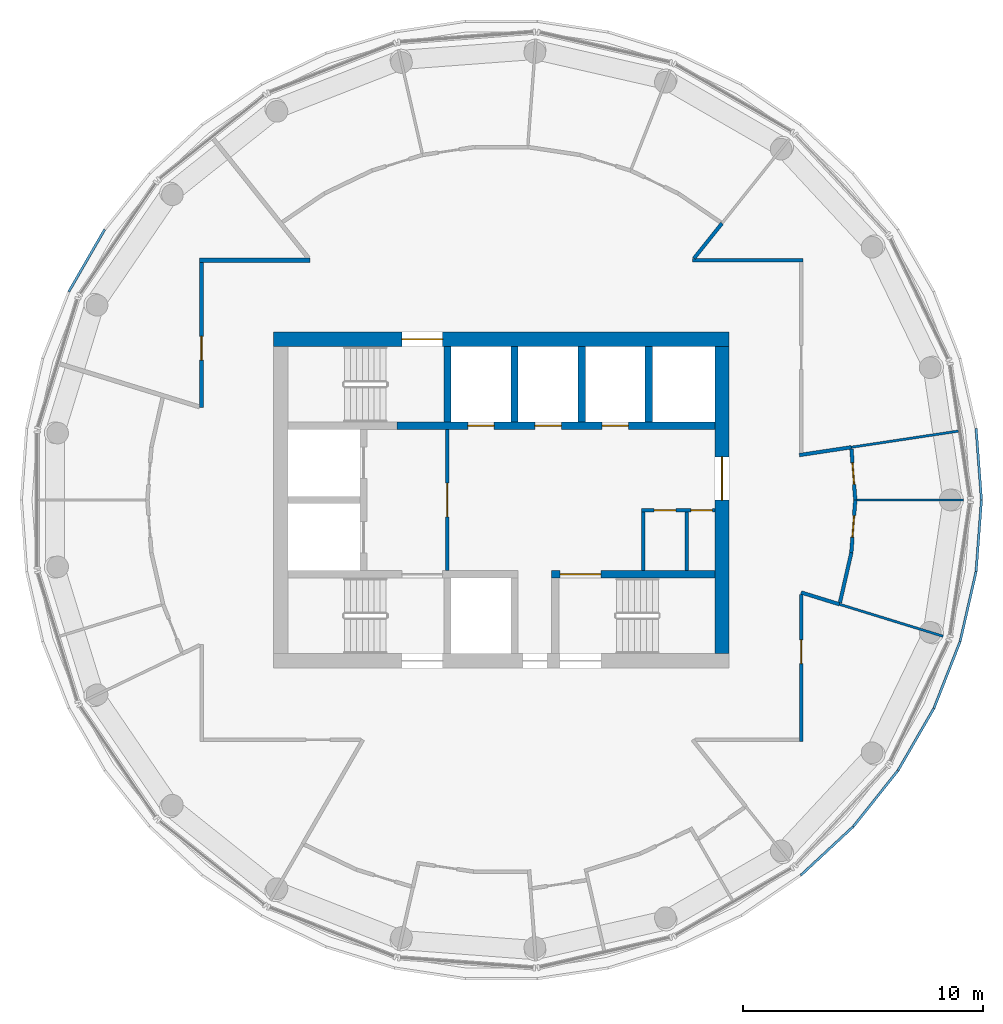
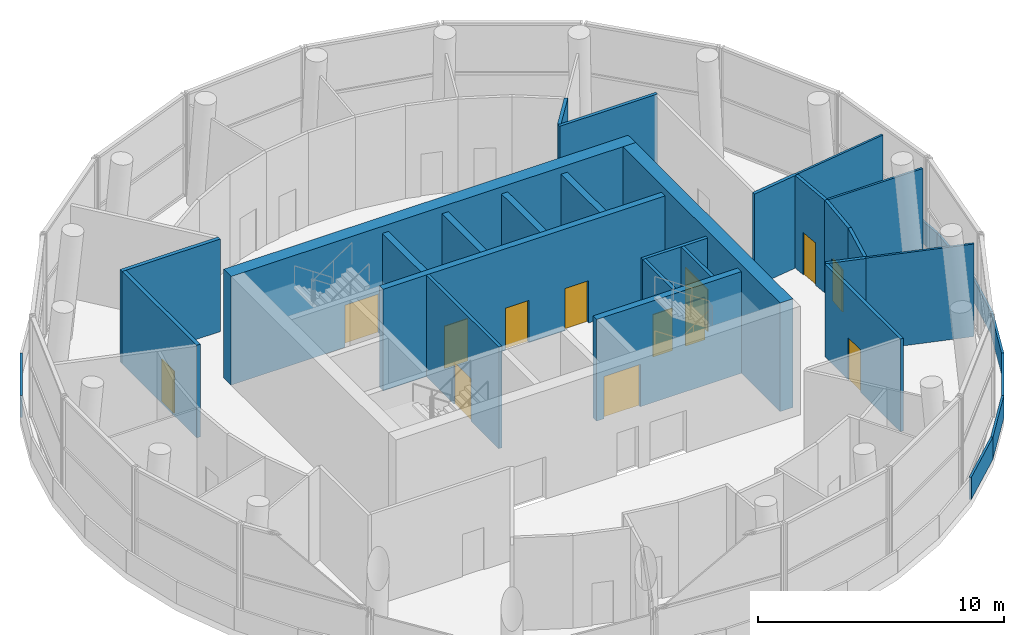
# One storey, part 6 of 11: 33 walls, 13 doors, 13 openings.
"""IFC4 building model written with IfcOpenShell, lengths in metres."""

from ifc_helpers import new_model, si_unit, direction, frame, frame_2d, origin, place, context, subcontext, project, spatial, rectangle, extrude, material, layer, layer_set, type_object, element, fill, save


model = new_model("IFC4")

# Units and contexts
model_context = context("Model", 3, precision=1e-05, world=origin(), true_north=direction((0.0, 1.0)))
body_context = subcontext(model_context, "Body", "Model", "MODEL_VIEW")
ifc_project = project(units=[si_unit("LENGTHUNIT", "METRE"), si_unit("AREAUNIT", "SQUARE_METRE"), si_unit("VOLUMEUNIT", "CUBIC_METRE"), si_unit("PLANEANGLEUNIT", "RADIAN"), si_unit("MASSUNIT", "GRAM", prefix="KILO")], contexts=[model_context])

# Site, building, storey
site_placement = place(None, origin())
site = spatial("IfcSite", under=ifc_project, at=site_placement, CompositionType="ELEMENT")
building_placement = place(site_placement, origin())
building = spatial("IfcBuilding", under=site, at=building_placement, Name="Tracery Tower", CompositionType="ELEMENT")
storey_placement = place(building_placement, frame((0.0, 0.0, 330.60009765625)))
storey = spatial("IfcBuildingStorey", under=building, at=storey_placement, Name="L86", CompositionType="ELEMENT", Elevation=330.60009765625)

# Wall, opening, door
ifc_material_1 = material(Name="Plasterboard on steel studs", Category="steel")
ifc_layer_1 = layer(ifc_material_1, 0.175048828125)
ifc_layer_set_1 = layer_set([ifc_layer_1], Name="Compartment partition 175")
wall_type_1 = type_object("IfcWallType", Name="Compartment partition 175", PredefinedType="PARTITIONING", material=ifc_layer_set_1)
wall_1_placement = place(storey_placement, frame((-12.5, 3.855712890625, 0.0), z_axis=(0.0, 0.0, 1.0), x_axis=(0.0, 1.0, 0.0)))
wall_1 = element("IfcWall", 1, at=wall_1_placement, inside=storey, type_object=wall_type_1, Name="Compartment partition 175", PredefinedType="PARTITIONING", context=body_context, shape_type="SweptSolid", body=[
    extrude(rectangle(XDim=6.056884765625, YDim=0.175048828125, at=frame_2d((3.0283203125, 0.0))), origin(), (0.0, 0.0, 1.0), 4.599853515625),
])
opening_1_placement = place(wall_1_placement, frame((1.97216796875, 0.0, 0.0)))
opening_1 = element("IfcOpeningElement", 2, at=opening_1_placement, cuts=wall_1, Name="Opening SB-L86-06", PredefinedType="OPENING", context=body_context, shape_type="SweptSolid", body=[
    extrude(rectangle(XDim=1.0, YDim=2.10009765625, at=frame_2d((0.5, 1.050048828125))), frame((0.0, 0.08740234375, 0.0), z_axis=(0.0, -1.0, 0.0), x_axis=(1.0, 0.0, 0.0)), (0.0, 0.0, 1.0), 0.175048828125),
])
ifc_material_2 = material(Name="Timber door leaf", Category="wood")
door_type_1 = type_object("IfcDoorType", Name="Public room door 1000", OperationType="NOTDEFINED", PredefinedType="DOOR", material=ifc_material_2)
door_1_placement = place(opening_1_placement, origin())
door_1 = element("IfcDoor", 3, at=door_1_placement, inside=storey, type_object=door_type_1, Name="Public room door 1000", OperationType="SINGLE_SWING_RIGHT", OverallHeight=2.10009765625, OverallWidth=1.0, PredefinedType="DOOR", context=body_context, shape_type="SweptSolid", body=[
    extrude(rectangle(XDim=1.0, YDim=2.10009765625, at=frame_2d((0.5, 1.050048828125))), frame((0.0, 0.02490234375, 0.0), z_axis=(0.0, -1.0, 0.0), x_axis=(1.0, 0.0, 0.0)), (0.0, 0.0, 1.0), 0.050048828125),
])
fill(opening_1, door_1)

# Wall
wall_2_placement = place(storey_placement, frame((-7.974609375, 10.0, 0.0), z_axis=(0.0, 0.0, 1.0), x_axis=(-1.0, 0.0, 0.0)))
element("IfcWall", 4, at=wall_2_placement, inside=storey, type_object=wall_type_1, Name="Compartment partition 175", PredefinedType="PARTITIONING", context=body_context, shape_type="SweptSolid", body=[
    extrude(rectangle(XDim=4.61279296875, YDim=0.175048828125, at=frame_2d((2.306396484375, 0.0))), origin(), (0.0, 0.0, 1.0), 4.599853515625),
])

# Wall, opening, door
ifc_material_3 = material(Name="Plasterboard on steel studs", Category="steel")
ifc_layer_2 = layer(ifc_material_3, 0.14990234375)
ifc_layer_set_2 = layer_set([ifc_layer_2], Name="Core lobby partition 150")
wall_type_2 = type_object("IfcWallType", Name="Core lobby partition 150", PredefinedType="SOLIDWALL", material=ifc_layer_set_2)
wall_3_placement = place(storey_placement, frame((-2.25, -2.949951171875, 0.0), z_axis=(0.0, 0.0, 1.0), x_axis=(0.0, 1.0, 0.0)))
wall_3 = element("IfcWall", 5, at=wall_3_placement, inside=storey, type_object=wall_type_2, Name="L86 FF lobby E", PredefinedType="SOLIDWALL", context=body_context, shape_type="SweptSolid", body=[
    extrude(rectangle(XDim=5.89990234375, YDim=0.14990234375, at=frame_2d((2.949951171875, 0.0))), origin(), (0.0, 0.0, 1.0), 5.0498046875),
])
opening_2_placement = place(wall_3_placement, frame((2.25, 0.0, 0.0)))
opening_2 = element("IfcOpeningElement", 6, at=opening_2_placement, cuts=wall_3, Name="Opening KD8", PredefinedType="OPENING", context=body_context, shape_type="SweptSolid", body=[
    extrude(rectangle(XDim=1.39990234375, YDim=2.10009765625, at=frame_2d((0.699951171875, 1.050048828125))), frame((0.0, 0.074951171875, 0.0), z_axis=(0.0, -1.0, 0.0), x_axis=(1.0, 0.0, 0.0)), (0.0, 0.0, 1.0), 0.14990234375),
])
ifc_material_4 = material(Name="Steel fire door", Category="steel")
door_type_2 = type_object("IfcDoorType", Name="Core lobby door 1400 double", OperationType="NOTDEFINED", PredefinedType="DOOR", material=ifc_material_4)
door_2_placement = place(opening_2_placement, origin())
door_2 = element("IfcDoor", 7, at=door_2_placement, inside=storey, type_object=door_type_2, Name="Fire-fighting lobby door", OperationType="DOUBLE_DOOR_SINGLE_SWING", OverallHeight=2.10009765625, OverallWidth=1.39990234375, PredefinedType="DOOR", context=body_context, shape_type="SweptSolid", body=[
    extrude(rectangle(XDim=1.39990234375, YDim=2.10009765625, at=frame_2d((0.699951171875, 1.050048828125))), frame((0.0, 0.02490234375, 0.0), z_axis=(0.0, -1.0, 0.0), x_axis=(1.0, 0.0, 0.0)), (0.0, 0.0, 1.0), 0.050048828125),
])
fill(opening_2, door_2)

# Wall
ifc_material_5 = material(Name="Plasterboard on steel studs", Category="steel")
ifc_layer_3 = layer(ifc_material_5, 0.14990234375)
ifc_layer_set_3 = layer_set([ifc_layer_3], Name="Core room partition 150")
wall_type_3 = type_object("IfcWallType", Name="Core room partition 150", PredefinedType="SOLIDWALL", material=ifc_layer_set_3)
wall_4_placement = place(storey_placement, frame((5.925048828125, -2.949951171875, 0.0), z_axis=(0.0, 0.0, 1.0), x_axis=(0.0, 1.0, 0.0)))
element("IfcWall", 8, at=wall_4_placement, inside=storey, type_object=wall_type_3, Name="L86 slot W", PredefinedType="SOLIDWALL", context=body_context, shape_type="SweptSolid", body=[
    extrude(rectangle(XDim=2.449951171875, YDim=0.14990234375, at=frame_2d((1.22509765625, 0.0))), origin(), (0.0, 0.0, 1.0), 5.0498046875),
])

# Wall, openings, doors
wall_5_placement = place(storey_placement, frame((5.85009765625, -0.425048828125, 0.0), z_axis=(0.0, 0.0, 1.0), x_axis=(1.0, 0.0, 0.0)))
wall_5 = element("IfcWall", 9, at=wall_5_placement, inside=storey, type_object=wall_type_3, Name="L86 slot N", PredefinedType="SOLIDWALL", context=body_context, shape_type="SweptSolid", body=[
    extrude(rectangle(XDim=3.0498046875, YDim=0.14990234375, at=frame_2d((1.52490234375, 0.0))), origin(), (0.0, 0.0, 1.0), 5.0498046875),
])
opening_3_placement = place(wall_5_placement, frame((0.52490234375, 0.0, 0.0)))
opening_3 = element("IfcOpeningElement", 10, at=opening_3_placement, cuts=wall_5, Name="Opening KD22", PredefinedType="OPENING", context=body_context, shape_type="SweptSolid", body=[
    extrude(rectangle(XDim=0.89990234375, YDim=2.10009765625, at=frame_2d((0.449951171875, 1.050048828125))), frame((0.0, 0.074951171875, 0.0), z_axis=(0.0, -1.0, 0.0), x_axis=(1.0, 0.0, 0.0)), (0.0, 0.0, 1.0), 0.14990234375),
])
opening_4_placement = place(wall_5_placement, frame((2.050048828125, 0.0, 0.0)))
opening_4 = element("IfcOpeningElement", 11, at=opening_4_placement, cuts=wall_5, Name="Opening KD26", PredefinedType="OPENING", context=body_context, shape_type="SweptSolid", body=[
    extrude(rectangle(XDim=0.89990234375, YDim=2.10009765625, at=frame_2d((0.449951171875, 1.050048828125))), frame((0.0, 0.074951171875, 0.0), z_axis=(0.0, -1.0, 0.0), x_axis=(1.0, 0.0, 0.0)), (0.0, 0.0, 1.0), 0.14990234375),
])
ifc_material_6 = material(Name="Timber door leaf", Category="wood")
door_type_3 = type_object("IfcDoorType", Name="Core WC door 900", OperationType="NOTDEFINED", PredefinedType="DOOR", material=ifc_material_6)
door_3_placement = place(opening_3_placement, origin())
door_3 = element("IfcDoor", 12, at=door_3_placement, inside=storey, type_object=door_type_3, Name="Core door", OperationType="SINGLE_SWING_RIGHT", OverallHeight=2.10009765625, OverallWidth=0.89990234375, PredefinedType="DOOR", context=body_context, shape_type="SweptSolid", body=[
    extrude(rectangle(XDim=0.89990234375, YDim=2.10009765625, at=frame_2d((0.449951171875, 1.050048828125))), frame((0.0, 0.02490234375, 0.0), z_axis=(0.0, -1.0, 0.0), x_axis=(1.0, 0.0, 0.0)), (0.0, 0.0, 1.0), 0.050048828125),
])
fill(opening_3, door_3)
ifc_material_7 = material(Name="Timber door leaf", Category="wood")
door_type_4 = type_object("IfcDoorType", Name="Core store door 900", OperationType="NOTDEFINED", PredefinedType="DOOR", material=ifc_material_7)
door_4_placement = place(opening_4_placement, origin())
door_4 = element("IfcDoor", 13, at=door_4_placement, inside=storey, type_object=door_type_4, Name="Core door", OperationType="SINGLE_SWING_LEFT", OverallHeight=2.10009765625, OverallWidth=0.89990234375, PredefinedType="DOOR", context=body_context, shape_type="SweptSolid", body=[
    extrude(rectangle(XDim=0.89990234375, YDim=2.10009765625, at=frame_2d((0.449951171875, 1.050048828125))), frame((0.0, 0.02490234375, 0.0), z_axis=(0.0, -1.0, 0.0), x_axis=(1.0, 0.0, 0.0)), (0.0, 0.0, 1.0), 0.050048828125),
])
fill(opening_4, door_4)

# Wall
wall_6_placement = place(storey_placement, frame((7.72509765625, -2.949951171875, 0.0), z_axis=(0.0, 0.0, 1.0), x_axis=(0.0, 1.0, 0.0)))
element("IfcWall", 14, at=wall_6_placement, inside=storey, type_object=wall_type_3, Name="L86 slot sep 1", PredefinedType="SOLIDWALL", context=body_context, shape_type="SweptSolid", body=[
    extrude(rectangle(XDim=2.449951171875, YDim=0.14990234375, at=frame_2d((1.22509765625, 0.0))), origin(), (0.0, 0.0, 1.0), 5.0498046875),
])

# Wall, opening, door
ifc_material_8 = material(Name="Concrete C40/50", Category="concrete")
ifc_layer_4 = layer(ifc_material_8, 0.60009765625)
ifc_layer_set_4 = layer_set([ifc_layer_4], Name="Core wall 600 C40")
wall_type_4 = type_object("IfcWallType", Name="Core wall 600 C40", PredefinedType="SOLIDWALL", material=ifc_layer_set_4)
wall_7_placement = place(storey_placement, frame((-9.5, 6.699951171875, 0.0), z_axis=(0.0, 0.0, 1.0), x_axis=(1.0, 0.0, 0.0)))
wall_7 = element("IfcWall", 15, at=wall_7_placement, inside=storey, type_object=wall_type_4, Name="L86 outer N", PredefinedType="SOLIDWALL", context=body_context, shape_type="SweptSolid", body=[
    extrude(rectangle(XDim=19.0, YDim=0.60009765625, at=frame_2d((9.5, 0.0))), origin(), (0.0, 0.0, 1.0), 5.39990234375),
])
opening_5_placement = place(wall_7_placement, frame((5.35009765625, 0.0, 0.0)))
opening_5 = element("IfcOpeningElement", 16, at=opening_5_placement, cuts=wall_7, Name="Opening KD3", PredefinedType="OPENING", context=body_context, shape_type="SweptSolid", body=[
    extrude(rectangle(XDim=1.699951171875, YDim=2.10009765625, at=frame_2d((0.85009765625, 1.050048828125))), frame((0.0, 0.300048828125, 0.0), z_axis=(0.0, -1.0, 0.0), x_axis=(1.0, 0.0, 0.0)), (0.0, 0.0, 1.0), 0.60009765625),
])
ifc_material_9 = material(Name="Steel fire door", Category="steel")
door_type_5 = type_object("IfcDoorType", Name="Core stair door 1700 double", OperationType="NOTDEFINED", PredefinedType="DOOR", material=ifc_material_9)
door_5_placement = place(opening_5_placement, origin())
door_5 = element("IfcDoor", 17, at=door_5_placement, inside=storey, type_object=door_type_5, Name="Stair door ST3 exit", OperationType="DOUBLE_DOOR_SINGLE_SWING", OverallHeight=2.10009765625, OverallWidth=1.699951171875, PredefinedType="DOOR", context=body_context, shape_type="SweptSolid", body=[
    extrude(rectangle(XDim=1.699951171875, YDim=2.10009765625, at=frame_2d((0.85009765625, 1.050048828125))), frame((0.0, 0.02490234375, 0.0), z_axis=(0.0, -1.0, 0.0), x_axis=(1.0, 0.0, 0.0)), (0.0, 0.0, 1.0), 0.050048828125),
])
fill(opening_5, door_5)

wall_8_placement = place(storey_placement, frame((9.199951171875, -6.39990234375, 0.0), z_axis=(0.0, 0.0, 1.0), x_axis=(0.0, 1.0, 0.0)))
wall_8 = element("IfcWall", 18, at=wall_8_placement, inside=storey, type_object=wall_type_4, Name="L86 outer E", PredefinedType="SOLIDWALL", context=body_context, shape_type="SweptSolid", body=[
    extrude(rectangle(XDim=12.7998046875, YDim=0.60009765625, at=frame_2d((6.39990234375, 0.0))), origin(), (0.0, 0.0, 1.0), 5.39990234375),
])
opening_6_placement = place(wall_8_placement, frame((6.39990234375, 0.0, 0.0)))
opening_6 = element("IfcOpeningElement", 19, at=opening_6_placement, cuts=wall_8, Name="Opening KD13", PredefinedType="OPENING", context=body_context, shape_type="SweptSolid", body=[
    extrude(rectangle(XDim=1.800048828125, YDim=2.10009765625, at=frame_2d((0.89990234375, 1.050048828125))), frame((0.0, 0.300048828125, 0.0), z_axis=(0.0, -1.0, 0.0), x_axis=(1.0, 0.0, 0.0)), (0.0, 0.0, 1.0), 0.60009765625),
])
ifc_material_10 = material(Name="Steel fire door", Category="steel")
door_type_6 = type_object("IfcDoorType", Name="Core exit door 1800 double", OperationType="NOTDEFINED", PredefinedType="DOOR", material=ifc_material_10)
door_6_placement = place(opening_6_placement, origin())
door_6 = element("IfcDoor", 20, at=door_6_placement, inside=storey, type_object=door_type_6, Name="Core exit door", OperationType="DOUBLE_DOOR_SINGLE_SWING", OverallHeight=2.10009765625, OverallWidth=1.800048828125, PredefinedType="DOOR", context=body_context, shape_type="SweptSolid", body=[
    extrude(rectangle(XDim=1.800048828125, YDim=2.10009765625, at=frame_2d((0.89990234375, 1.050048828125))), frame((0.0, 0.02490234375, 0.0), z_axis=(0.0, -1.0, 0.0), x_axis=(1.0, 0.0, 0.0)), (0.0, 0.0, 1.0), 0.050048828125),
])
fill(opening_6, door_6)

# Wall
ifc_material_11 = material(Name="Plasterboard on steel studs", Category="steel")
ifc_layer_5 = layer(ifc_material_11, 0.14990234375)
ifc_layer_set_5 = layer_set([ifc_layer_5], Name="Corridor partition 150")
wall_type_5 = type_object("IfcWallType", Name="Corridor partition 150", PredefinedType="PARTITIONING", material=ifc_layer_set_5)
wall_9_placement = place(storey_placement, frame((9.201904296875, 11.538818359375, 0.0), z_axis=(0.0, 0.0, 1.0), x_axis=(-0.623517661876, -0.781809264034, 0.0)))
element("IfcWall", 21, at=wall_9_placement, inside=storey, type_object=wall_type_5, Name="Corridor partition 150", PredefinedType="PARTITIONING", context=body_context, shape_type="SweptSolid", body=[
    extrude(rectangle(XDim=1.872314453125, YDim=0.14990234375, at=frame_2d((0.93603515625, 0.0))), origin(), (0.0, 0.0, 1.0), 4.599853515625),
])

# Wall, opening, door
wall_10_placement = place(storey_placement, frame((12.5, -3.93408203125, 0.0), z_axis=(0.0, 0.0, 1.0), x_axis=(0.0, -1.0, 0.0)))
wall_10 = element("IfcWall", 22, at=wall_10_placement, inside=storey, type_object=wall_type_5, Name="Corridor partition 150", PredefinedType="PARTITIONING", context=body_context, shape_type="SweptSolid", body=[
    extrude(rectangle(XDim=6.140869140625, YDim=0.14990234375, at=frame_2d((3.0703125, 0.0))), origin(), (0.0, 0.0, 1.0), 4.599853515625),
])
opening_7_placement = place(wall_10_placement, frame((1.893798828125, 0.0, 0.0)))
opening_7 = element("IfcOpeningElement", 23, at=opening_7_placement, cuts=wall_10, Name="Opening SB-L86-16", PredefinedType="OPENING", context=body_context, shape_type="SweptSolid", body=[
    extrude(rectangle(XDim=1.0, YDim=2.10009765625, at=frame_2d((0.5, 1.050048828125))), frame((0.0, 0.074951171875, 0.0), z_axis=(0.0, -1.0, 0.0), x_axis=(1.0, 0.0, 0.0)), (0.0, 0.0, 1.0), 0.14990234375),
])
door_7_placement = place(opening_7_placement, origin())
door_7 = element("IfcDoor", 24, at=door_7_placement, inside=storey, type_object=door_type_1, Name="Public room door 1000", OperationType="SINGLE_SWING_RIGHT", OverallHeight=2.10009765625, OverallWidth=1.0, PredefinedType="DOOR", context=body_context, shape_type="SweptSolid", body=[
    extrude(rectangle(XDim=1.0, YDim=2.10009765625, at=frame_2d((0.5, 1.050048828125))), frame((0.0, 0.02490234375, 0.0), z_axis=(0.0, -1.0, 0.0), x_axis=(1.0, 0.0, 0.0)), (0.0, 0.0, 1.0), 0.050048828125),
])
fill(opening_7, door_7)

# Walls
wall_11_placement = place(storey_placement, frame((12.574951171875, 10.0, 0.0), z_axis=(0.0, 0.0, 1.0), x_axis=(-1.0, 0.0, 0.0)))
element("IfcWall", 25, at=wall_11_placement, inside=storey, type_object=wall_type_5, Name="Corridor partition 150", PredefinedType="PARTITIONING", context=body_context, shape_type="SweptSolid", body=[
    extrude(rectangle(XDim=4.600341796875, YDim=0.14990234375, at=frame_2d((2.30029296875, 0.0))), origin(), (0.0, 0.0, 1.0), 4.599853515625),
])
wall_12_placement = place(storey_placement, frame((14.10302734375, -4.35009765625, 0.0), z_axis=(0.0, 0.0, 1.0), x_axis=(-0.955586855456, 0.294709622647, 0.0)))
element("IfcWall", 26, at=wall_12_placement, inside=storey, type_object=wall_type_5, Name="Corridor partition 150", PredefinedType="PARTITIONING", context=body_context, shape_type="SweptSolid", body=[
    extrude(rectangle(XDim=1.677490234375, YDim=0.14990234375, at=frame_2d((0.8388671875, 0.0))), origin(), (0.0, 0.0, 1.0), 4.599853515625),
])
wall_13_placement = place(storey_placement, frame((14.119873046875, -4.27685546875, 0.0), z_axis=(0.0, 0.0, 1.0), x_axis=(0.222532317756, 0.974925313834, 0.0)))
element("IfcWall", 27, at=wall_13_placement, inside=storey, type_object=wall_type_5, Name="Corridor partition 150", PredefinedType="PARTITIONING", context=body_context, shape_type="SweptSolid", body=[
    extrude(rectangle(XDim=2.130615234375, YDim=0.14990234375, at=frame_2d((1.0654296875, 0.0))), origin(), (0.0, 0.0, 1.0), 4.599853515625),
])

# Wall, opening, door
wall_14_placement = place(storey_placement, frame((14.7587890625, 0.0, 0.0), z_axis=(0.0, 0.0, 1.0), x_axis=(-0.074707404068, -0.997205497266, 0.0)))
wall_14 = element("IfcWall", 28, at=wall_14_placement, inside=storey, type_object=wall_type_5, Name="Corridor partition 150", PredefinedType="PARTITIONING", context=body_context, shape_type="SweptSolid", body=[
    extrude(rectangle(XDim=2.205810546875, YDim=0.14990234375, at=frame_2d((1.10302734375, 0.0))), origin(), (0.0, 0.0, 1.0), 4.599853515625),
])
opening_8_placement = place(wall_14_placement, frame((0.65283203125, 0.0, 0.0)))
opening_8 = element("IfcOpeningElement", 29, at=opening_8_placement, cuts=wall_14, Name="Opening SB-L86-17", PredefinedType="OPENING", context=body_context, shape_type="SweptSolid", body=[
    extrude(rectangle(XDim=0.89990234375, YDim=2.10009765625, at=frame_2d((0.449951171875, 1.050048828125))), frame((0.0, 0.074951171875, 0.0), z_axis=(0.0, -1.0, 0.0), x_axis=(1.0, 0.0, 0.0)), (0.0, 0.0, 1.0), 0.14990234375),
])
ifc_material_12 = material(Name="Timber door leaf", Category="wood")
door_type_7 = type_object("IfcDoorType", Name="Room door 900", OperationType="NOTDEFINED", PredefinedType="DOOR", material=ifc_material_12)
door_8_placement = place(opening_8_placement, origin())
door_8 = element("IfcDoor", 30, at=door_8_placement, inside=storey, type_object=door_type_7, Name="Room door 900", OperationType="SINGLE_SWING_RIGHT", OverallHeight=2.10009765625, OverallWidth=0.89990234375, PredefinedType="DOOR", context=body_context, shape_type="SweptSolid", body=[
    extrude(rectangle(XDim=0.89990234375, YDim=2.10009765625, at=frame_2d((0.449951171875, 1.050048828125))), frame((0.0, 0.02490234375, 0.0), z_axis=(0.0, -1.0, 0.0), x_axis=(1.0, 0.0, 0.0)), (0.0, 0.0, 1.0), 0.050048828125),
])
fill(opening_8, door_8)

# Wall
wall_15_placement = place(storey_placement, frame((14.593994140625, 2.19970703125, 0.0), z_axis=(0.0, 0.0, 1.0), x_axis=(-0.988824185574, -0.149086317361, 0.0)))
element("IfcWall", 31, at=wall_15_placement, inside=storey, type_object=wall_type_5, Name="Corridor partition 150", PredefinedType="PARTITIONING", context=body_context, shape_type="SweptSolid", body=[
    extrude(rectangle(XDim=2.192626953125, YDim=0.14990234375, at=frame_2d((1.09619140625, 0.0))), origin(), (0.0, 0.0, 1.0), 4.599853515625),
])

# Wall, opening, door
wall_16_placement = place(storey_placement, frame((14.599609375, 2.124755859375, 0.0), z_axis=(0.0, 0.0, 1.0), x_axis=(0.074707340837, -0.997205502003, 0.0)))
wall_16 = element("IfcWall", 32, at=wall_16_placement, inside=storey, type_object=wall_type_5, Name="Corridor partition 150", PredefinedType="PARTITIONING", context=body_context, shape_type="SweptSolid", body=[
    extrude(rectangle(XDim=2.130615234375, YDim=0.14990234375, at=frame_2d((1.0654296875, 0.0))), origin(), (0.0, 0.0, 1.0), 4.599853515625),
])
opening_9_placement = place(wall_16_placement, frame((0.57763671875, 0.0, 0.0)))
opening_9 = element("IfcOpeningElement", 33, at=opening_9_placement, cuts=wall_16, Name="Opening SB-L86-18", PredefinedType="OPENING", context=body_context, shape_type="SweptSolid", body=[
    extrude(rectangle(XDim=0.89990234375, YDim=2.10009765625, at=frame_2d((0.449951171875, 1.050048828125))), frame((0.0, 0.074951171875, 0.0), z_axis=(0.0, -1.0, 0.0), x_axis=(1.0, 0.0, 0.0)), (0.0, 0.0, 1.0), 0.14990234375),
])
door_9_placement = place(opening_9_placement, origin())
door_9 = element("IfcDoor", 34, at=door_9_placement, inside=storey, type_object=door_type_7, Name="Room door 900", OperationType="SINGLE_SWING_RIGHT", OverallHeight=2.10009765625, OverallWidth=0.89990234375, PredefinedType="DOOR", context=body_context, shape_type="SweptSolid", body=[
    extrude(rectangle(XDim=0.89990234375, YDim=2.10009765625, at=frame_2d((0.449951171875, 1.050048828125))), frame((0.0, 0.02490234375, 0.0), z_axis=(0.0, -1.0, 0.0), x_axis=(1.0, 0.0, 0.0)), (0.0, 0.0, 1.0), 0.050048828125),
])
fill(opening_9, door_9)

# Walls
ifc_material_13 = material(Name="Tinted laminated glass", Category="glass")
ifc_layer_6 = layer(ifc_material_13, 0.10009765625)
ifc_layer_set_6 = layer_set([ifc_layer_6], Name="Crown ledge glass parapet 100")
wall_type_6 = type_object("IfcWallType", Name="Crown ledge glass parapet 100", PredefinedType="PARAPET", material=ifc_layer_set_6)
wall_17_placement = place(storey_placement, frame((20.021728515625, 0.004638671875, 0.0), z_axis=(0.0, 0.0, 1.0), x_axis=(-0.074718739729, 0.99720464797, 0.0)))
element("IfcWall", 35, at=wall_17_placement, inside=storey, type_object=wall_type_6, Name="Crown ledge glass parapet L86 1", PredefinedType="PARAPET", context=body_context, shape_type="SweptSolid", body=[
    extrude(rectangle(XDim=2.983154296875, YDim=0.10009765625, at=frame_2d((1.49169921875, 0.0))), origin(), (0.0, 0.0, 1.0), 1.099853515625),
])
for number, where, z_axis, x_axis, name in (
    (36, (-16.54541015625, 11.274658203125, 0.0), (0.0, 0.0, 1.0), (-0.500003486784, -0.866023390679, 0.0), "Crown ledge glass parapet L86 18"),
    (37, (12.487060546875, -15.650634765625, 0.0), (0.0, 0.0, 1.0), (0.733009168405, 0.68021875822, 0.0), "Crown ledge glass parapet L86 37"),
):
    element("IfcWall", number, at=place(storey_placement, frame(where, z_axis=z_axis, x_axis=x_axis)), inside=storey, type_object=wall_type_6, Name=name, PredefinedType="PARAPET", context=body_context, shape_type="SweptSolid", body=[
        extrude(rectangle(XDim=2.98291015625, YDim=0.10009765625, at=frame_2d((1.491455078125, 0.0))), origin(), (0.0, 0.0, 1.0), 1.099853515625),
    ])
wall_18_placement = place(storey_placement, frame((14.68017578125, -13.61474609375, 0.0), z_axis=(0.0, 0.0, 1.0), x_axis=(0.62347663043, 0.781841986151, 0.0)))
element("IfcWall", 38, at=wall_18_placement, inside=storey, type_object=wall_type_6, Name="Crown ledge glass parapet L86 38", PredefinedType="PARAPET", context=body_context, shape_type="SweptSolid", body=[
    extrude(rectangle(XDim=2.983154296875, YDim=0.10009765625, at=frame_2d((1.49169921875, 0.0))), origin(), (0.0, 0.0, 1.0), 1.099853515625),
])
wall_19_placement = place(storey_placement, frame((16.54541015625, -11.274658203125, 0.0), z_axis=(0.0, 0.0, 1.0), x_axis=(0.500003486784, 0.866023390679, 0.0)))
element("IfcWall", 39, at=wall_19_placement, inside=storey, type_object=wall_type_6, Name="Crown ledge glass parapet L86 39", PredefinedType="PARAPET", context=body_context, shape_type="SweptSolid", body=[
    extrude(rectangle(XDim=2.98291015625, YDim=0.10009765625, at=frame_2d((1.491455078125, 0.0))), origin(), (0.0, 0.0, 1.0), 1.099853515625),
])
wall_20_placement = place(storey_placement, frame((18.041015625, -8.682861328125, 0.0), z_axis=(0.0, 0.0, 1.0), x_axis=(0.365343432016, 0.930872803708, 0.0)))
element("IfcWall", 40, at=wall_20_placement, inside=storey, type_object=wall_type_6, Name="Crown ledge glass parapet L86 40", PredefinedType="PARAPET", context=body_context, shape_type="SweptSolid", body=[
    extrude(rectangle(XDim=2.983154296875, YDim=0.10009765625, at=frame_2d((1.49169921875, 0.0))), origin(), (0.0, 0.0, 1.0), 1.099853515625),
])
wall_21_placement = place(storey_placement, frame((19.133544921875, -5.89697265625, 0.0), z_axis=(0.0, 0.0, 1.0), x_axis=(0.22253367096, 0.974925004956, 0.0)))
element("IfcWall", 41, at=wall_21_placement, inside=storey, type_object=wall_type_6, Name="Crown ledge glass parapet L86 41", PredefinedType="PARAPET", context=body_context, shape_type="SweptSolid", body=[
    extrude(rectangle(XDim=2.98291015625, YDim=0.10009765625, at=frame_2d((1.491455078125, 0.0))), origin(), (0.0, 0.0, 1.0), 1.099853515625),
])
wall_22_placement = place(storey_placement, frame((19.798828125, -2.9794921875, 0.0), z_axis=(0.0, 0.0, 1.0), x_axis=(0.074718739729, 0.99720464797, 0.0)))
element("IfcWall", 42, at=wall_22_placement, inside=storey, type_object=wall_type_6, Name="Crown ledge glass parapet L86 42", PredefinedType="PARAPET", context=body_context, shape_type="SweptSolid", body=[
    extrude(rectangle(XDim=2.983154296875, YDim=0.10009765625, at=frame_2d((1.49169921875, 0.0))), origin(), (0.0, 0.0, 1.0), 1.099853515625),
])
ifc_material_14 = material(Name="Concrete C40/50", Category="concrete")
ifc_layer_7 = layer(ifc_material_14, 0.300048828125)
ifc_layer_set_7 = layer_set([ifc_layer_7], Name="Shaft wall 300 C40")
wall_type_7 = type_object("IfcWallType", Name="Shaft wall 300 C40", PredefinedType="SOLIDWALL", material=ifc_layer_set_7)
for number, where, z_axis, x_axis, name in (
    (43, (0.550048828125, 3.25, 0.0), (0.0, 0.0, 1.0), (0.0, 1.0, 0.0), "L86 HR sep 1"),
    (44, (3.35009765625, 3.25, 0.0), (0.0, 0.0, 1.0), (0.0, 1.0, 0.0), "L86 HR sep 2"),
    (45, (6.14990234375, 3.25, 0.0), (0.0, 0.0, 1.0), (0.0, 1.0, 0.0), "L86 HR sep 3"),
):
    element("IfcWall", number, at=place(storey_placement, frame(where, z_axis=z_axis, x_axis=x_axis)), inside=storey, type_object=wall_type_7, Name=name, PredefinedType="SOLIDWALL", context=body_context, shape_type="SweptSolid", body=[
        extrude(rectangle(XDim=3.14990234375, YDim=0.300048828125, at=frame_2d((1.574951171875, 0.0))), origin(), (0.0, 0.0, 1.0), 5.0498046875),
    ])

# Wall, opening, door
ifc_material_15 = material(Name="Concrete C40/50", Category="concrete")
ifc_layer_8 = layer(ifc_material_15, 0.300048828125)
ifc_layer_set_8 = layer_set([ifc_layer_8], Name="Stair wall 300 C40")
wall_type_8 = type_object("IfcWallType", Name="Stair wall 300 C40", PredefinedType="SOLIDWALL", material=ifc_layer_set_8)
wall_23_placement = place(storey_placement, frame((2.10009765625, -3.10009765625, 0.0), z_axis=(0.0, 0.0, 1.0), x_axis=(1.0, 0.0, 0.0)))
wall_23 = element("IfcWall", 46, at=wall_23_placement, inside=storey, type_object=wall_type_8, Name="L86 row S E", PredefinedType="SOLIDWALL", context=body_context, shape_type="SweptSolid", body=[
    extrude(rectangle(XDim=6.7998046875, YDim=0.300048828125, at=frame_2d((3.39990234375, 0.0))), origin(), (0.0, 0.0, 1.0), 5.0498046875),
])
opening_10_placement = place(wall_23_placement, frame((0.35009765625, 0.0, 0.0)))
opening_10 = element("IfcOpeningElement", 47, at=opening_10_placement, cuts=wall_23, Name="Opening KD3", PredefinedType="OPENING", context=body_context, shape_type="SweptSolid", body=[
    extrude(rectangle(XDim=1.699951171875, YDim=2.10009765625, at=frame_2d((0.85009765625, 1.050048828125))), frame((0.0, 0.14990234375, 0.0), z_axis=(0.0, -1.0, 0.0), x_axis=(1.0, 0.0, 0.0)), (0.0, 0.0, 1.0), 0.300048828125),
])
door_10_placement = place(opening_10_placement, origin())
door_10 = element("IfcDoor", 48, at=door_10_placement, inside=storey, type_object=door_type_5, Name="Stair door ST2", OperationType="DOUBLE_DOOR_SINGLE_SWING", OverallHeight=2.10009765625, OverallWidth=1.699951171875, PredefinedType="DOOR", context=body_context, shape_type="SweptSolid", body=[
    extrude(rectangle(XDim=1.699951171875, YDim=2.10009765625, at=frame_2d((0.85009765625, 1.050048828125))), frame((0.0, 0.02490234375, 0.0), z_axis=(0.0, -1.0, 0.0), x_axis=(1.0, 0.0, 0.0)), (0.0, 0.0, 1.0), 0.050048828125),
])
fill(opening_10, door_10)

# Wall, openings, doors
wall_24_placement = place(storey_placement, frame((-4.35009765625, 3.10009765625, 0.0), z_axis=(0.0, 0.0, 1.0), x_axis=(1.0, 0.0, 0.0)))
wall_24 = element("IfcWall", 49, at=wall_24_placement, inside=storey, type_object=wall_type_8, Name="L86 row N", PredefinedType="SOLIDWALL", context=body_context, shape_type="SweptSolid", body=[
    extrude(rectangle(XDim=13.25, YDim=0.300048828125, at=frame_2d((6.625, 0.0))), origin(), (0.0, 0.0, 1.0), 5.0498046875),
])
opening_11_placement = place(wall_24_placement, frame((2.949951171875, 0.0, 0.0)))
opening_11 = element("IfcOpeningElement", 50, at=opening_11_placement, cuts=wall_24, Name="Opening KD49", PredefinedType="OPENING", context=body_context, shape_type="SweptSolid", body=[
    extrude(rectangle(XDim=1.10009765625, YDim=2.10009765625, at=frame_2d((0.550048828125, 1.050048828125))), frame((0.0, 0.14990234375, 0.0), z_axis=(0.0, -1.0, 0.0), x_axis=(1.0, 0.0, 0.0)), (0.0, 0.0, 1.0), 0.300048828125),
])
opening_12_placement = place(wall_24_placement, frame((5.75, 0.0, 0.0)))
opening_12 = element("IfcOpeningElement", 51, at=opening_12_placement, cuts=wall_24, Name="Opening KD50", PredefinedType="OPENING", context=body_context, shape_type="SweptSolid", body=[
    extrude(rectangle(XDim=1.10009765625, YDim=2.10009765625, at=frame_2d((0.550048828125, 1.050048828125))), frame((0.0, 0.14990234375, 0.0), z_axis=(0.0, -1.0, 0.0), x_axis=(1.0, 0.0, 0.0)), (0.0, 0.0, 1.0), 0.300048828125),
])
opening_13_placement = place(wall_24_placement, frame((8.550048828125, 0.0, 0.0)))
opening_13 = element("IfcOpeningElement", 52, at=opening_13_placement, cuts=wall_24, Name="Opening KD49", PredefinedType="OPENING", context=body_context, shape_type="SweptSolid", body=[
    extrude(rectangle(XDim=1.10009765625, YDim=2.10009765625, at=frame_2d((0.550048828125, 1.050048828125))), frame((0.0, 0.14990234375, 0.0), z_axis=(0.0, -1.0, 0.0), x_axis=(1.0, 0.0, 0.0)), (0.0, 0.0, 1.0), 0.300048828125),
])
ifc_material_16 = material(Name="Steel fire door", Category="steel")
door_type_8 = type_object("IfcDoorType", Name="Landing door 1100", OperationType="NOTDEFINED", PredefinedType="DOOR", material=ifc_material_16)
door_11_placement = place(opening_11_placement, origin())
door_11 = element("IfcDoor", 53, at=door_11_placement, inside=storey, type_object=door_type_8, Name="Landing door HR1", OperationType="SLIDING_TO_LEFT", OverallHeight=2.10009765625, OverallWidth=1.10009765625, PredefinedType="DOOR", context=body_context, shape_type="SweptSolid", body=[
    extrude(rectangle(XDim=1.10009765625, YDim=2.10009765625, at=frame_2d((0.550048828125, 1.050048828125))), frame((0.0, 0.02490234375, 0.0), z_axis=(0.0, -1.0, 0.0), x_axis=(1.0, 0.0, 0.0)), (0.0, 0.0, 1.0), 0.050048828125),
])
fill(opening_11, door_11)
door_12_placement = place(opening_12_placement, origin())
door_12 = element("IfcDoor", 54, at=door_12_placement, inside=storey, type_object=door_type_8, Name="Landing door HR2", OperationType="SLIDING_TO_RIGHT", OverallHeight=2.10009765625, OverallWidth=1.10009765625, PredefinedType="DOOR", context=body_context, shape_type="SweptSolid", body=[
    extrude(rectangle(XDim=1.10009765625, YDim=2.10009765625, at=frame_2d((0.550048828125, 1.050048828125))), frame((0.0, 0.02490234375, 0.0), z_axis=(0.0, -1.0, 0.0), x_axis=(1.0, 0.0, 0.0)), (0.0, 0.0, 1.0), 0.050048828125),
])
fill(opening_12, door_12)
door_13_placement = place(opening_13_placement, origin())
door_13 = element("IfcDoor", 55, at=door_13_placement, inside=storey, type_object=door_type_8, Name="Landing door HR3", OperationType="SLIDING_TO_LEFT", OverallHeight=2.10009765625, OverallWidth=1.10009765625, PredefinedType="DOOR", context=body_context, shape_type="SweptSolid", body=[
    extrude(rectangle(XDim=1.10009765625, YDim=2.10009765625, at=frame_2d((0.550048828125, 1.050048828125))), frame((0.0, 0.02490234375, 0.0), z_axis=(0.0, -1.0, 0.0), x_axis=(1.0, 0.0, 0.0)), (0.0, 0.0, 1.0), 0.050048828125),
])
fill(opening_13, door_13)

# Walls
wall_25_placement = place(storey_placement, frame((-2.25, 3.25, 0.0), z_axis=(0.0, 0.0, 1.0), x_axis=(0.0, 1.0, 0.0)))
element("IfcWall", 56, at=wall_25_placement, inside=storey, type_object=wall_type_8, Name="L86 ST3 E", PredefinedType="SOLIDWALL", context=body_context, shape_type="SweptSolid", body=[
    extrude(rectangle(XDim=3.14990234375, YDim=0.300048828125, at=frame_2d((1.574951171875, 0.0))), origin(), (0.0, 0.0, 1.0), 5.0498046875),
])
ifc_material_17 = material(Name="Plasterboard on steel studs", Category="steel")
ifc_layer_9 = layer(ifc_material_17, 0.10009765625)
ifc_layer_set_9 = layer_set([ifc_layer_9], Name="Stud partition 100")
wall_type_9 = type_object("IfcWallType", Name="Stud partition 100", PredefinedType="PARTITIONING", material=ifc_layer_set_9)
wall_26_placement = place(storey_placement, frame((18.415283203125, -5.680419921875, 0.0), z_axis=(0.0, 0.0, 1.0), x_axis=(-0.955562351314, 0.294789064842, 0.0)))
element("IfcWall", 57, at=wall_26_placement, inside=storey, type_object=wall_type_9, Name="Stud partition 100", PredefinedType="PARTITIONING", context=body_context, shape_type="SweptSolid", body=[
    extrude(rectangle(XDim=4.5126953125, YDim=0.10009765625, at=frame_2d((2.25634765625, 0.0))), origin(), (0.0, 0.0, 1.0), 4.599853515625),
])
wall_27_placement = place(storey_placement, frame((19.05615234375, 2.872314453125, 0.0), z_axis=(0.0, 0.0, 1.0), x_axis=(-0.988829347102, -0.149052079185, 0.0)))
element("IfcWall", 58, at=wall_27_placement, inside=storey, type_object=wall_type_9, Name="Stud partition 100", PredefinedType="PARTITIONING", context=body_context, shape_type="SweptSolid", body=[
    extrude(rectangle(XDim=4.512451171875, YDim=0.10009765625, at=frame_2d((2.25634765625, 0.0))), origin(), (0.0, 0.0, 1.0), 4.599853515625),
])
wall_28_placement = place(storey_placement, frame((19.271484375, 0.0, 0.0), z_axis=(0.0, 0.0, 1.0), x_axis=(-1.0, 0.0, 0.0)))
element("IfcWall", 59, at=wall_28_placement, inside=storey, type_object=wall_type_9, Name="Stud partition 100", PredefinedType="PARTITIONING", context=body_context, shape_type="SweptSolid", body=[
    extrude(rectangle(XDim=4.4375, YDim=0.10009765625, at=frame_2d((2.21875, 0.0))), origin(), (0.0, 0.0, 1.0), 4.599853515625),
])

save(model, "model.ifc")
